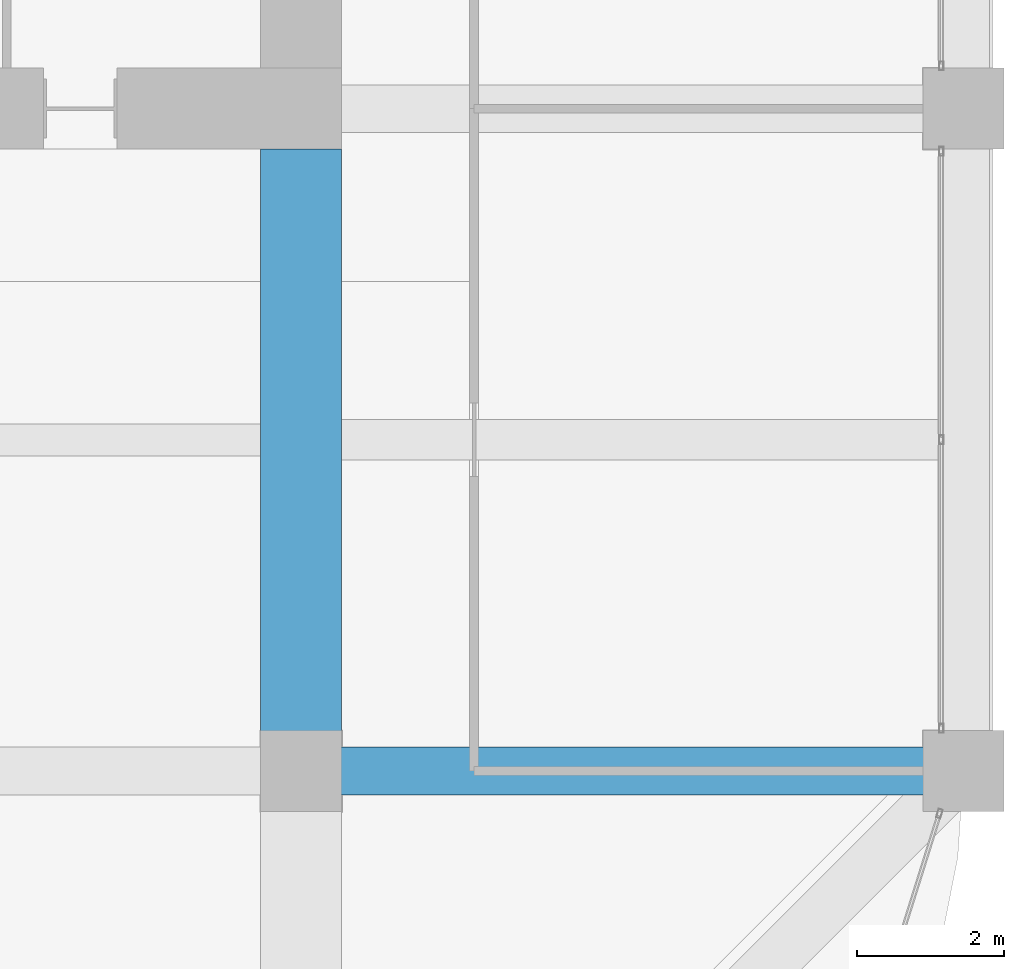
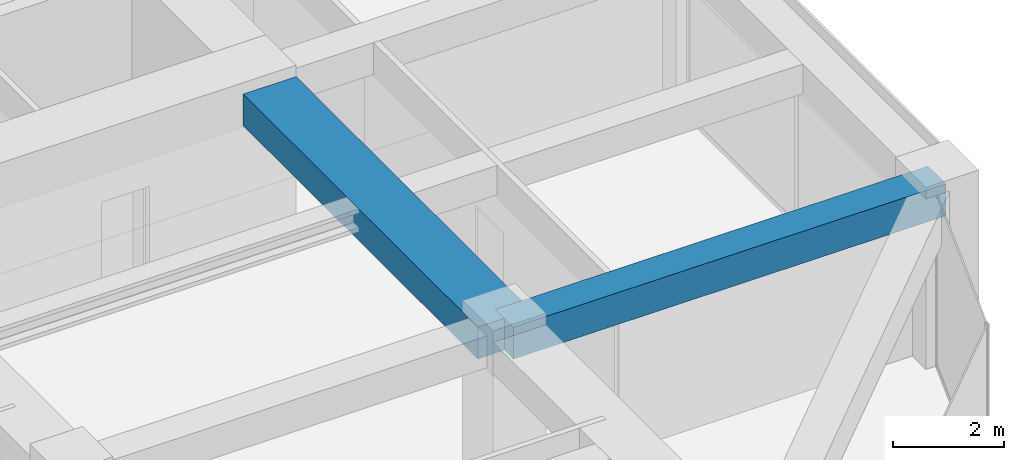
# One storey, part 21 of 44: 2 beams.
"""IFC4 building model written with IfcOpenShell, lengths in metres."""

from ifc_helpers import new_model, si_unit, direction, frame, origin, origin_2d, place, context, subcontext, project, spatial, rectangle, extrude, material, material_profile, profile_set, type_object, element, save


model = new_model("IFC4")

# Units and contexts
model_context = context("Model", 3, precision=1e-05, world=origin(), true_north=direction((0.0, 1.0)))
body_context = subcontext(model_context, "Body", "Model", "MODEL_VIEW")
ifc_project = project(units=[si_unit("LENGTHUNIT", "METRE"), si_unit("AREAUNIT", "SQUARE_METRE"), si_unit("VOLUMEUNIT", "CUBIC_METRE"), si_unit("PLANEANGLEUNIT", "RADIAN"), si_unit("MASSUNIT", "GRAM", prefix="KILO")], contexts=[model_context])

# Site, building, storey
site_placement = place(None, origin())
site = spatial("IfcSite", under=ifc_project, at=site_placement, CompositionType="ELEMENT")
building_placement = place(site_placement, origin())
building = spatial("IfcBuilding", under=site, at=building_placement, Name="Zorevar Civic Tower", CompositionType="ELEMENT")
storey_placement = place(building_placement, frame((0.0, 0.0, 275.39990234375)))
storey = spatial("IfcBuildingStorey", under=building, at=storey_placement, Name="L67", CompositionType="ELEMENT", Elevation=275.39990234375)

# Beams
ifc_material_1 = material(Name="Concrete C50/60", Category="concrete")
ifc_material_profile_1 = material_profile(ifc_material_1, rectangle(XDim=1.10009765625, YDim=0.699951171875, at=origin_2d()), Name="RC 1100x700")
ifc_profile_set_1 = profile_set([ifc_material_profile_1], Name="Concrete C50/60")
beam_type_1 = type_object("IfcBeamType", Name="Beam RC 1100x700", PredefinedType="BEAM", material=ifc_profile_set_1)
beam_1_placement = place(storey_placement, frame((45.0, 9.0, 3.400146484375), z_axis=(0.0, 1.0, 0.0), x_axis=(-1.0, 0.0, 0.0)))
element("IfcBeam", 1, at=beam_1_placement, inside=storey, type_object=beam_type_1, Name="Girder L68", PredefinedType="BEAM", context=body_context, shape_type="SweptSolid", body=[
    extrude(rectangle(XDim=1.10009765625, YDim=0.699951171875, at=origin_2d()), origin(), (0.0, 0.0, 1.0), 8.449951171875),
])
ifc_material_2 = material(Name="Concrete C50/60", Category="concrete")
ifc_material_profile_2 = material_profile(ifc_material_2, rectangle(XDim=0.64990234375, YDim=0.699951171875, at=origin_2d()), Name="RC 650x700")
ifc_profile_set_2 = profile_set([ifc_material_profile_2], Name="Concrete C50/60")
beam_type_2 = type_object("IfcBeamType", Name="Beam RC 650x700", PredefinedType="BEAM", material=ifc_profile_set_2)
beam_2_placement = place(storey_placement, frame((45.0, 9.0, 3.400146484375), z_axis=(1.0, 0.0, 0.0), x_axis=(0.0, 1.0, 0.0)))
element("IfcBeam", 2, at=beam_2_placement, inside=storey, type_object=beam_type_2, Name="Girder L68", PredefinedType="BEAM", context=body_context, shape_type="SweptSolid", body=[
    extrude(rectangle(XDim=0.64990234375, YDim=0.699951171875, at=origin_2d()), origin(), (0.0, 0.0, 1.0), 9.0),
])

save(model, "model.ifc")
